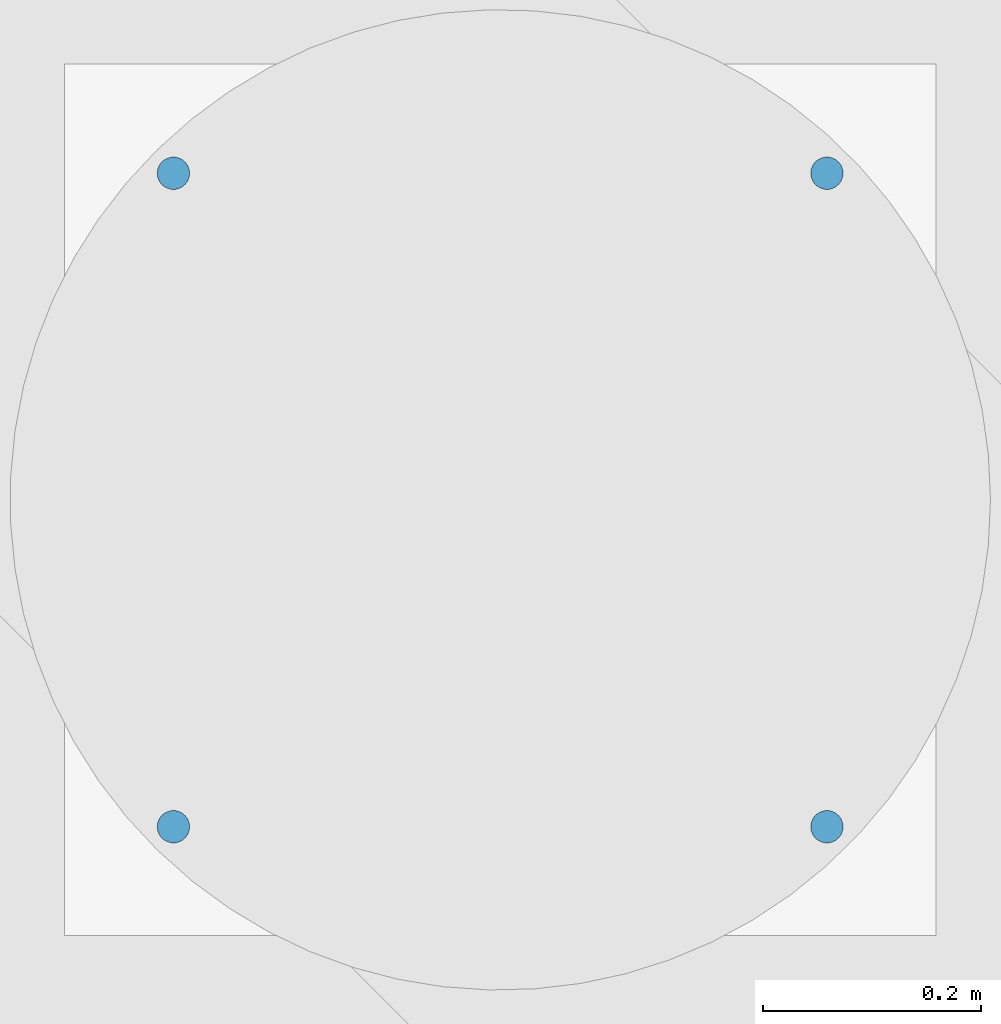
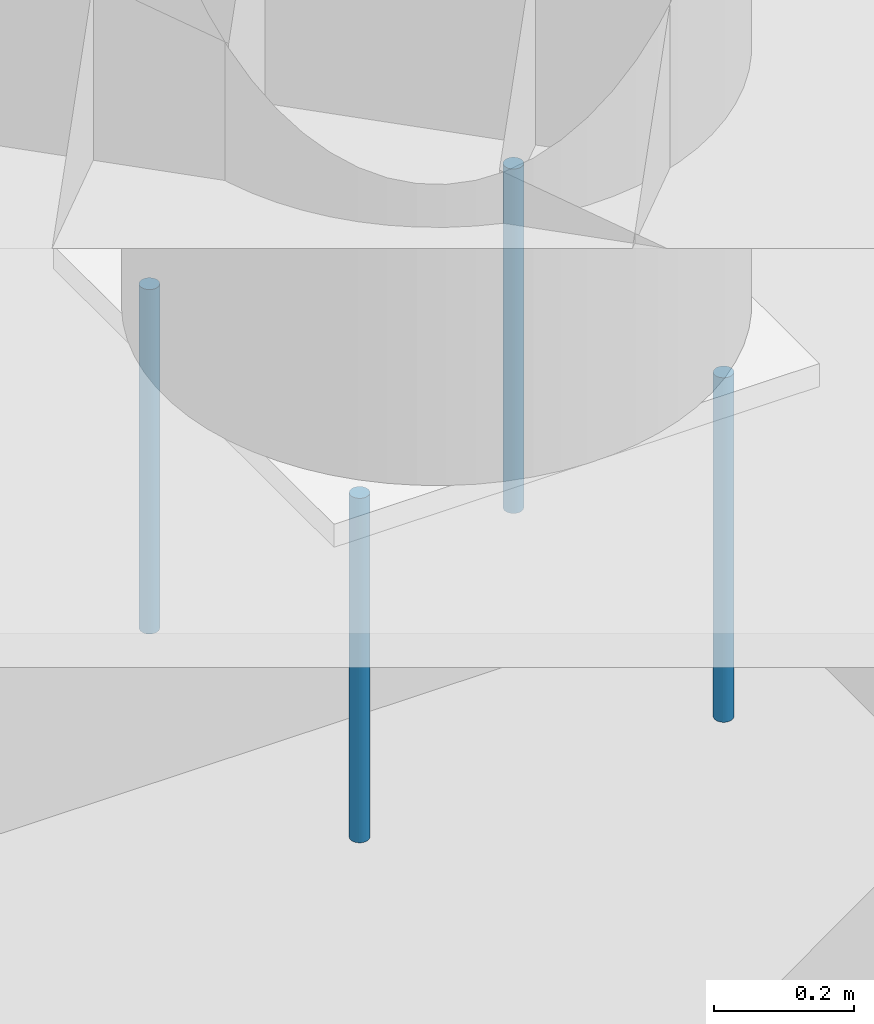
# One storey, part 13 of 28: 4 discrete accessories.
"""IFC4 building model written with IfcOpenShell, lengths in metres."""

from ifc_helpers import new_model, si_unit, direction, frame, origin, origin_2d, place, context, subcontext, project, spatial, circle, extrude, element, save


model = new_model("IFC4")

# Units and contexts
model_context = context("Model", 3, precision=1e-05, world=origin(), true_north=direction((0.0, 1.0)))
body_context = subcontext(model_context, "Body", "Model", "MODEL_VIEW")
ifc_project = project(units=[si_unit("LENGTHUNIT", "METRE"), si_unit("AREAUNIT", "SQUARE_METRE"), si_unit("VOLUMEUNIT", "CUBIC_METRE"), si_unit("PLANEANGLEUNIT", "RADIAN"), si_unit("MASSUNIT", "GRAM", prefix="KILO")], contexts=[model_context])

# Site, building, storey
site_placement = place(None, origin())
site = spatial("IfcSite", under=ifc_project, at=site_placement, CompositionType="ELEMENT")
building_placement = place(site_placement, origin())
building = spatial("IfcBuilding", under=site, at=building_placement, Name="Tabaq Tower and Sports Hall", CompositionType="ELEMENT")
storey_placement = place(building_placement, frame((0.0, 0.0, 233.5)))
storey = spatial("IfcBuildingStorey", under=building, at=storey_placement, Name="L59", CompositionType="ELEMENT", Elevation=233.5)

# Discrete accessories
for number, where, z_axis, x_axis, name in (
    (1, (7.800048828125, 7.800048828125, 1.60009765625), (0.0, 0.0, -1.0), (1.0, 0.0, 0.0), "Wind Turbine 1 Anchor Bolt 1"),
    (2, (8.39990234375, 7.800048828125, 1.60009765625), (0.0, 0.0, -1.0), (1.0, 0.0, 0.0), "Wind Turbine 1 Anchor Bolt 2"),
    (3, (8.39990234375, 8.39990234375, 1.60009765625), (0.0, 0.0, -1.0), (1.0, 0.0, 0.0), "Wind Turbine 1 Anchor Bolt 3"),
    (4, (7.800048828125, 8.39990234375, 1.60009765625), (0.0, 0.0, -1.0), (1.0, 0.0, 0.0), "Wind Turbine 1 Anchor Bolt 4"),
):
    element("IfcDiscreteAccessory", number, at=place(storey_placement, frame(where, z_axis=z_axis, x_axis=x_axis)), inside=storey, Name=name, PredefinedType="NOTDEFINED", context=body_context, shape_type="SweptSolid", body=[
        extrude(circle(Radius=0.014892578125, at=origin_2d()), origin(), (0.0, 0.0, 1.0), 0.60009765625),
    ])

save(model, "model.ifc")
